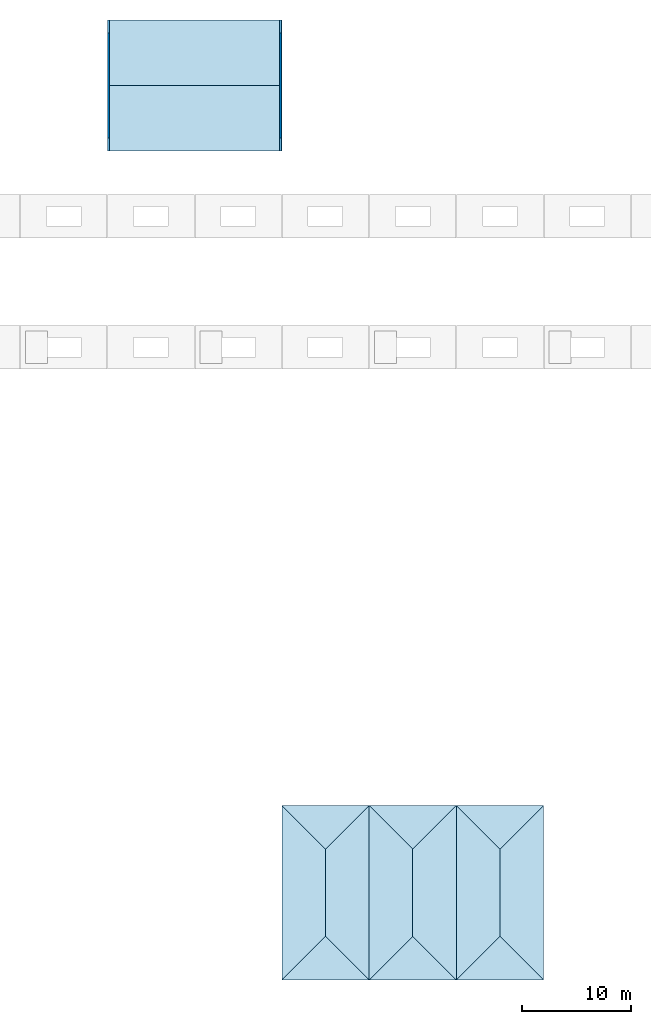
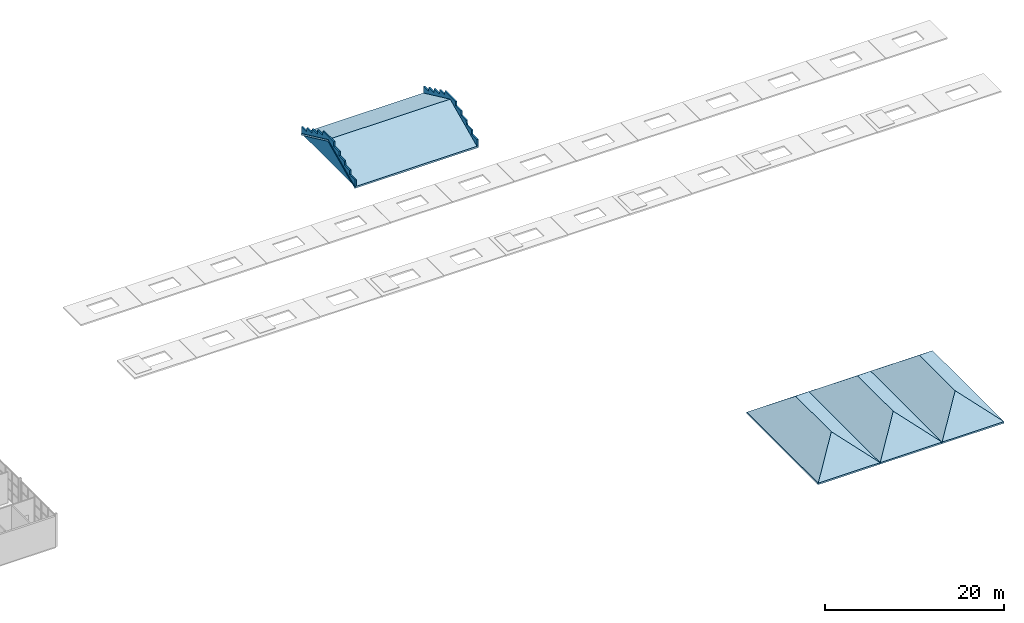
# One storey, part 7 of 9: 4 roofs, 2 walls.
"""IFC4 building model written with IfcOpenShell, lengths in metres."""

import ifcopenshell
import ifcopenshell.guid

model = None  # the IFC model being written
_history = None  # IfcOwnerHistory: only IFC2X3 demands one
_inside = {}  # id of a spatial element -> (the spatial element, [elements in it])
_under = {}  # id of a project, library or spatial element -> (it, [spatial elements below it])
_declared = {}  # id of a project -> (the project, [libraries it declares])
_typed = {}  # id of a type object -> (the type object, [elements of that type])
_made_of = {}  # id of a material, layer set ... -> (it, [elements and type objects made of it])


def new_model(schema):
    """Start an empty IFC model of exactly this schema.

    Asked for "IFC4X3", IfcOpenShell would pick the latest addendum, in which some entities
    have other attributes; the version numbers below select the first issue.
    IFC2X3 requires an IfcOwnerHistory on every rooted entity: one is made here for all.
    """
    global model, _history
    if schema == "IFC4X3":
        model = ifcopenshell.file(schema_version=(4, 3, 0, 0))
    else:
        model = ifcopenshell.file(schema=schema)
    _inside.clear()
    _under.clear()
    _declared.clear()
    _typed.clear()
    _made_of.clear()
    _history = None
    if model.schema == "IFC2X3":
        org = make("IfcOrganization", Name="unknown")
        user = make(
            "IfcPersonAndOrganization",
            ThePerson=make("IfcPerson", FamilyName="unknown"),
            TheOrganization=org,
        )
        app = make(
            "IfcApplication",
            ApplicationDeveloper=org,
            Version="unknown",
            ApplicationFullName="unknown",
            ApplicationIdentifier="unknown",
        )
        _history = make(
            "IfcOwnerHistory",
            OwningUser=user,
            OwningApplication=app,
            ChangeAction="ADDED",
            CreationDate=0,
        )
    return model


def make(cls, **values):
    """One entity of the class cls with the attributes given. An attribute that is None is left unset."""
    return model.create_entity(
        cls, **{name: value for name, value in values.items() if value is not None}
    )


def rooted(cls, **values):
    """An entity with a GlobalId (a new one), such as an element, a storey or a relation."""
    return make(cls, GlobalId=ifcopenshell.guid.new(), OwnerHistory=_history, **values)


def si_unit(unit_type, name, prefix=None):
    """IfcSIUnit, for example si_unit("LENGTHUNIT", "METRE", prefix="MILLI")."""
    return make("IfcSIUnit", UnitType=unit_type, Prefix=prefix, Name=name)


def assignment(units):
    """IfcUnitAssignment: the units of a project."""
    return None if units is None else make("IfcUnitAssignment", Units=units)


def point(xyz):
    """IfcCartesianPoint."""
    return None if xyz is None else make("IfcCartesianPoint", Coordinates=xyz)


def direction(xyz):
    """IfcDirection."""
    return None if xyz is None else make("IfcDirection", DirectionRatios=xyz)


def frame(location, z_axis=None, x_axis=None):
    """IfcAxis2Placement3D, a coordinate frame: its origin and axes. An axis left out is left unset."""
    return make(
        "IfcAxis2Placement3D",
        Location=point(location),
        Axis=direction(z_axis),
        RefDirection=direction(x_axis),
    )


def origin():
    """The frame at (0, 0, 0) with its axes left unset."""
    return frame((0.0, 0.0, 0.0))


def place(relative_to, where):
    """IfcLocalPlacement: puts the frame where relative to a parent placement (None: the world)."""
    return make(
        "IfcLocalPlacement", PlacementRelTo=relative_to, RelativePlacement=where
    )


def context(
    kind, dimensions, precision=None, world=None, true_north=None, identifier=None
):
    """IfcGeometricRepresentationContext, for example the 3D "Model" context."""
    return make(
        "IfcGeometricRepresentationContext",
        ContextIdentifier=identifier,
        ContextType=kind,
        CoordinateSpaceDimension=dimensions,
        Precision=precision,
        WorldCoordinateSystem=world,
        TrueNorth=true_north,
    )


def subcontext(parent, identifier, kind, view, scale=None):
    """IfcGeometricRepresentationSubContext, for example "Body" below "Model"."""
    return make(
        "IfcGeometricRepresentationSubContext",
        ContextIdentifier=identifier,
        ContextType=kind,
        ParentContext=parent,
        TargetScale=scale,
        TargetView=view,
    )


def project(units=None, contexts=None):
    """IfcProject with its units and contexts."""
    return rooted(
        "IfcProject",
        Name="project",
        RepresentationContexts=contexts,
        UnitsInContext=assignment(units),
    )


def spatial(cls, under=None, at=None, **own):
    """A site, building, storey or space (cls), placed at a placement, below another one or the project."""
    s = rooted(cls, ObjectPlacement=at, **own)
    if under is not None:
        _under.setdefault(under.id(), (under, []))[1].append(s)
    return s


def polyline(points):
    """IfcPolyline through the points."""
    return make("IfcPolyline", Points=[point(p) for p in points])


def point_list(points):
    """IfcCartesianPointList2D or 3D."""
    cls = (
        "IfcCartesianPointList2D" if len(points[0]) == 2 else "IfcCartesianPointList3D"
    )
    return make(cls, CoordList=points)


def outline(outer, holes=None, kind="AREA"):
    """IfcArbitraryClosedProfileDef: a profile drawn as a closed curve; with holes, ...WithVoids."""
    if holes is None:
        return make("IfcArbitraryClosedProfileDef", ProfileType=kind, OuterCurve=outer)
    return make(
        "IfcArbitraryProfileDefWithVoids",
        ProfileType=kind,
        OuterCurve=outer,
        InnerCurves=holes,
    )


def extrude(swept, where, along, depth):
    """IfcExtrudedAreaSolid: the profile swept, set in the frame where, extruded along a direction by depth."""
    return make(
        "IfcExtrudedAreaSolid",
        SweptArea=swept,
        Position=where,
        ExtrudedDirection=direction(along),
        Depth=depth,
    )


def polygons(points, faces, closed=None, point_numbers=None):
    """IfcPolygonalFaceSet: a face is its outer loop, then its inner loops; points numbered from 1."""
    made = []
    for loops in faces:
        if len(loops) == 1:
            made.append(make("IfcIndexedPolygonalFace", CoordIndex=loops[0]))
        else:
            made.append(
                make(
                    "IfcIndexedPolygonalFaceWithVoids",
                    CoordIndex=loops[0],
                    InnerCoordIndices=loops[1:],
                )
            )
    return make(
        "IfcPolygonalFaceSet",
        Coordinates=point_list(points),
        Closed=closed,
        Faces=made,
        PnIndex=point_numbers,
    )


def shape(context_of_items, identifier, shape_type, items):
    """IfcShapeRepresentation: the items that make up one representation, for example the "Body"."""
    return make(
        "IfcShapeRepresentation",
        ContextOfItems=context_of_items,
        RepresentationIdentifier=identifier,
        RepresentationType=shape_type,
        Items=items,
    )


def material(Name=None, Category=None):
    """IfcMaterial."""
    return make("IfcMaterial", Name=Name, Category=Category)


def layer(
    of_material, thickness, ventilated=None, Name=None, Category=None, Priority=None
):
    """IfcMaterialLayer: one layer of a wall or slab, of a material (None: an air gap)."""
    return make(
        "IfcMaterialLayer",
        Material=of_material,
        LayerThickness=thickness,
        IsVentilated=ventilated,
        Name=Name,
        Category=Category,
        Priority=Priority,
    )


def layer_set(layers, Name=None):
    """IfcMaterialLayerSet."""
    return make("IfcMaterialLayerSet", MaterialLayers=layers, LayerSetName=Name)


def made_of(thing, what):
    """Note that an element or type object is made of a material, layer set ...; save() writes the relation."""
    if what is not None:
        _made_of.setdefault(what.id(), (what, []))[1].append(thing)
    return thing


def type_object(cls, material=None, **own):
    """A type object (cls), such as IfcWallType, which elements share."""
    return made_of(rooted(cls, **own), material)


def element(
    cls,
    number,
    at=None,
    inside=None,
    cuts=None,
    type_object=None,
    material=None,
    context=None,
    identifier="Body",
    shape_type=None,
    held_by="IfcProductDefinitionShape",
    body=None,
    shapes=None,
    **own,
):
    """One element of the class cls, such as IfcWall. Its Tag is "e" and its number.

    at: its placement. inside: the storey or other place that contains it. cuts: it is an
    opening in that element (IfcRelVoidsElement). A single representation is given by context,
    identifier, shape_type and body (its items); several are given by shapes. held_by: the class
    of the entity that holds the representations. save() writes the other relations.
    """
    e = rooted(cls, Tag="e%d" % number, ObjectPlacement=at, **own)
    if body is not None:
        shapes = [shape(context, identifier, shape_type, body)]
    if shapes is not None:
        e.Representation = make(held_by, Representations=shapes)
    if inside is not None:
        _inside.setdefault(inside.id(), (inside, []))[1].append(e)
    if cuts is not None:
        rooted(
            "IfcRelVoidsElement", RelatingBuildingElement=cuts, RelatedOpeningElement=e
        )
    if type_object is not None:
        _typed.setdefault(type_object.id(), (type_object, []))[1].append(e)
    return made_of(e, material)


def aggregate(whole, parts):
    """IfcRelAggregates: a whole, such as a stair, and the parts it consists of."""
    return rooted("IfcRelAggregates", RelatingObject=whole, RelatedObjects=parts)


def save(model, path):
    """Write the relations noted so far, then the file.

    IfcRelAggregates (storeys below a building ...), IfcRelContainedInSpatialStructure (elements
    in a storey), IfcRelDefinesByType, IfcRelAssociatesMaterial and IfcRelDeclares: one each for
    every whole, place, type object, material and project.
    """
    for whole, parts in _under.values():
        aggregate(whole, parts)
    for where, things in _inside.values():
        rooted(
            "IfcRelContainedInSpatialStructure",
            RelatedElements=things,
            RelatingStructure=where,
        )
    for kind, things in _typed.values():
        rooted("IfcRelDefinesByType", RelatedObjects=things, RelatingType=kind)
    for what, things in _made_of.values():
        rooted("IfcRelAssociatesMaterial", RelatedObjects=things, RelatingMaterial=what)
    for by, libraries in _declared.values():
        rooted("IfcRelDeclares", RelatingContext=by, RelatedDefinitions=libraries)
    model.write(path)


model = new_model("IFC4")

# Units and contexts
model_context = context("Model", 3, precision=1e-05, world=origin(), true_north=direction((0.0, 1.0)))
body_context = subcontext(model_context, "Body", "Model", "MODEL_VIEW")
ifc_project = project(units=[si_unit("LENGTHUNIT", "METRE"), si_unit("AREAUNIT", "SQUARE_METRE"), si_unit("VOLUMEUNIT", "CUBIC_METRE"), si_unit("PLANEANGLEUNIT", "RADIAN"), si_unit("MASSUNIT", "GRAM", prefix="KILO")], contexts=[model_context])

# Site, building, storey
site_placement = place(None, origin())
site = spatial("IfcSite", under=ifc_project, at=site_placement, CompositionType="ELEMENT")
building_placement = place(site_placement, origin())
building = spatial("IfcBuilding", under=site, at=building_placement, Name="Serraluz Foothill Cableway Terminal", CompositionType="ELEMENT")
storey_placement = place(building_placement, frame((0.0, 0.0, 19.800048828125)))
storey = spatial("IfcBuildingStorey", under=building, at=storey_placement, Name="L04", CompositionType="ELEMENT", Elevation=19.800048828125)

# Walls
ifc_material_1 = material(Name="Fired clay masonry brick (f'm 12 MPa)", Category="masonry")
ifc_layer_1 = layer(ifc_material_1, 0.18994140625, Name="Fired clay masonry brick (f'm 12 MPa)", Category="masonry")
ifc_layer_set_1 = layer_set([ifc_layer_1], Name="Fired clay masonry brick (f'm 12 MPa)")
wall_type = type_object("IfcWallType", Name="TYP-WL-PAR-190", PredefinedType="PARAPET", material=ifc_layer_set_1)
for number, where, z_axis, x_axis, name in (
    (1, (80.1201171875, 76.0, 0.0), (0.0, 0.0, 1.0), (0.0, 1.0, 0.0), "Stepped Brick Gable Crown WP-V4-GABLE-W"),
    (2, (95.8798828125, 88.0, 0.0), (0.0, 0.0, 1.0), (0.0, -1.0, 0.0), "Stepped Brick Gable Crown WP-V4-GABLE-E"),
):
    element("IfcWall", number, at=place(storey_placement, frame(where, z_axis=z_axis, x_axis=x_axis)), inside=storey, type_object=wall_type, Name=name, PredefinedType="PARAPET", context=body_context, shape_type="SweptSolid", body=[
        extrude(outline(polyline([(0.0, 0.0), (12.0, 0.0), (12.0, 0.919921875), (10.820068359375, 0.919921875), (10.800048828125, 1.489990234375), (9.6201171875, 1.489990234375), (9.60009765625, 2.06005859375), (8.419921875, 2.06005859375), (8.39990234375, 2.6298828125), (7.219970703125, 2.6298828125), (7.199951171875, 3.199951171875), (6.02001953125, 3.199951171875), (5.97998046875, 3.199951171875), (4.800048828125, 3.199951171875), (4.780029296875, 2.6298828125), (3.60009765625, 2.6298828125), (3.580078125, 2.06005859375), (2.39990234375, 2.06005859375), (2.3798828125, 1.489990234375), (1.199951171875, 1.489990234375), (1.179931640625, 0.919921875), (0.0, 0.919921875), (0.0, 0.0)])), frame((0.0, 0.094970703125, 0.0), z_axis=(0.0, -1.0, 0.0), x_axis=(1.0, 0.0, 0.0)), (0.0, 0.0, 1.0), 0.18994140625),
    ])

# Roofs
ifc_material_2 = material(Name="Standing-seam zinc-titanium roof assembly", Category="metal")
ifc_layer_2 = layer(ifc_material_2, 0.239990234375, Name="Standing-seam zinc-titanium roof assembly", Category="metal")
ifc_layer_set_2 = layer_set([ifc_layer_2], Name="Standing-seam zinc-titanium roof assembly")
roof_type_1 = type_object("IfcRoofType", Name="TYP-RF-GABLE-240", PredefinedType="GABLE_ROOF", material=ifc_layer_set_2)
roof_placement = place(storey_placement, frame((80.0, 76.0, 0.0)))
element("IfcRoof", 3, at=roof_placement, inside=storey, type_object=roof_type_1, Name="SCADA Wing Pitched Gable Roof", PredefinedType="GABLE_ROOF", context=body_context, shape_type="SweptSolid", body=[
    extrude(outline(polyline([(0.0, 0.0), (6.0, 2.800048828125), (12.0, 0.0), (12.0, -0.239990234375), (6.0, 2.56005859375), (0.0, -0.239990234375), (0.0, 0.0)])), frame((0.0, 0.0, 0.0), z_axis=(1.0, 0.0, 0.0), x_axis=(0.0, 1.0, 0.0)), (0.0, 0.0, 1.0), 16.0),
])
ifc_layer_3 = layer(ifc_material_2, 0.219970703125, Name="Standing-seam zinc-titanium roof assembly", Category="metal")
ifc_layer_set_3 = layer_set([ifc_layer_3], Name="Standing-seam zinc-titanium roof assembly")
roof_type_2 = type_object("IfcRoofType", Name="TYP-RF-HIP-220", PredefinedType="HIP_ROOF", material=ifc_layer_set_3)
for number, where, name in (
    (4, (96.0, 0.0, 0.0), "Belvedere Wing Hipped Roof 1"),
    (5, (104.0, 0.0, 0.0), "Belvedere Wing Hipped Roof 2"),
    (6, (112.0, 0.0, 0.0), "Belvedere Wing Hipped Roof 3"),
):
    element("IfcRoof", number, at=place(storey_placement, frame(where)), inside=storey, type_object=roof_type_2, Name=name, PredefinedType="HIP_ROOF", context=body_context, shape_type="Tessellation", body=[
        polygons([(0.0, 0.0, 0.0), (8.0, 0.0, 0.0), (8.0, 16.0, 0.0), (0.0, 16.0, 0.0), (4.0, 4.0, 3.199951171875), (4.0, 12.0, 3.199951171875), (0.0, 0.0, -0.219970703125), (8.0, 0.0, -0.219970703125), (8.0, 16.0, -0.219970703125), (0.0, 16.0, -0.219970703125), (4.0, 4.0, 2.97998046875), (4.0, 12.0, 2.97998046875)], [[[1, 2, 5]], [[2, 3, 6, 5]], [[3, 4, 6]], [[4, 1, 5, 6]], [[11, 8, 7]], [[11, 12, 9, 8]], [[12, 10, 9]], [[12, 11, 7, 10]], [[7, 8, 2, 1]], [[8, 9, 3, 2]], [[9, 10, 4, 3]], [[10, 7, 1, 4]]], closed=True),
    ])

save(model, "model.ifc")
